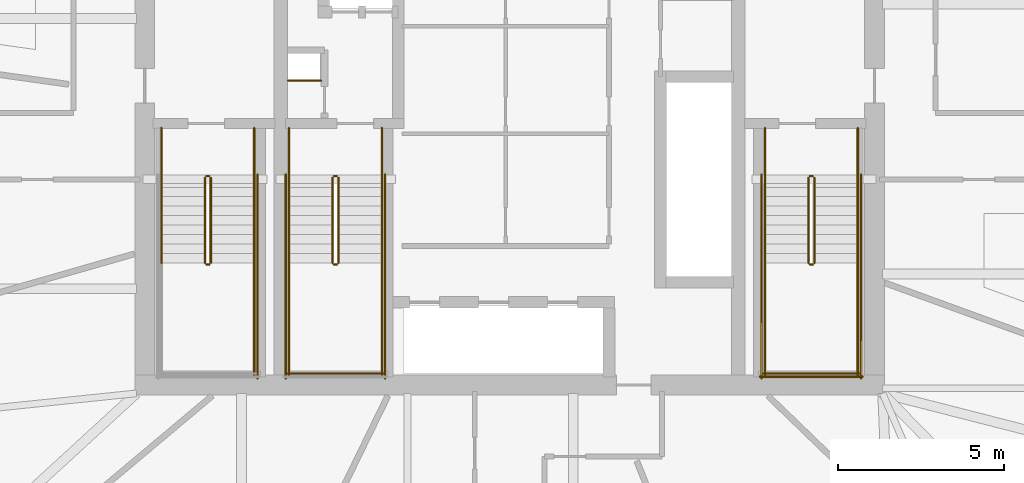
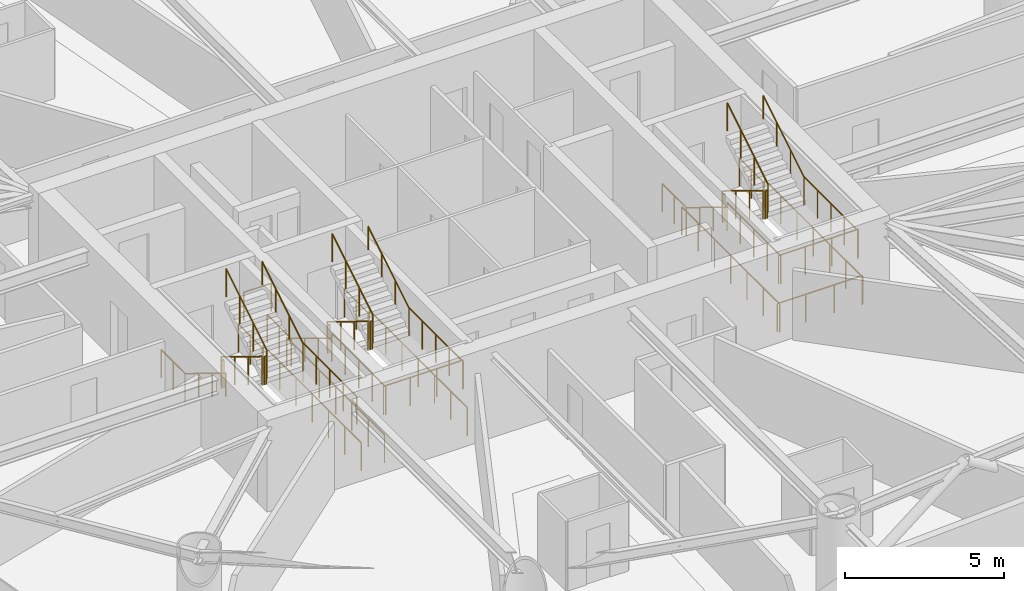
# One storey, part 19 of 20: 38 railings.
"""IFC4 building model written with IfcOpenShell, lengths in metres."""

from ifc_helpers import new_model, si_unit, direction, frame, origin, origin_2d, place, context, subcontext, project, spatial, circle, extrude, material, type_object, element, save


model = new_model("IFC4")

# Units and contexts
model_context = context("Model", 3, precision=1e-05, world=origin(), true_north=direction((0.0, 1.0)))
body_context = subcontext(model_context, "Body", "Model", "MODEL_VIEW")
ifc_project = project(units=[si_unit("LENGTHUNIT", "METRE"), si_unit("AREAUNIT", "SQUARE_METRE"), si_unit("VOLUMEUNIT", "CUBIC_METRE"), si_unit("PLANEANGLEUNIT", "RADIAN"), si_unit("MASSUNIT", "GRAM", prefix="KILO")], contexts=[model_context])

# Site, building, storey
site_placement = place(None, origin())
site = spatial("IfcSite", under=ifc_project, at=site_placement, CompositionType="ELEMENT")
building_placement = place(site_placement, origin())
building = spatial("IfcBuilding", under=site, at=building_placement, Name="Bramvorn Convention Spire", CompositionType="ELEMENT")
storey_placement = place(building_placement, frame((0.0, 0.0, 151.800048828125)))
storey = spatial("IfcBuildingStorey", under=building, at=storey_placement, Name="L38", CompositionType="ELEMENT", Elevation=151.800048828125)

# Railings
ifc_material_1 = material(Name="Painted Steel Balustrade & Guardrail", Category="steel")
railing_type_1 = type_object("IfcRailingType", Name="RL-STAIR-GUARD-1100", PredefinedType="GUARDRAIL", material=ifc_material_1)
railing_1_placement = place(storey_placement, frame((28.81005859375, 25.050048828125, 0.175048828125)))
element("IfcRailing", 1, at=railing_1_placement, inside=storey, type_object=railing_type_1, Name="L38 ST1 stair guard 1", PredefinedType="GUARDRAIL", context=body_context, shape_type="SweptSolid", body=[
    extrude(circle(Radius=0.02392578125, at=origin_2d()), frame((0.0, 0.0, 1.076171875), z_axis=(0.0, -0.852173129349, 0.523259933127), x_axis=(1.0, 0.0, 0.0)), (0.0, 0.0, 1.0), 3.009765625),
    extrude(circle(Radius=0.02099609375, at=origin_2d()), origin(), (0.0, 0.0, 1.0), 1.052001953125),
    extrude(circle(Radius=0.02099609375, at=origin_2d()), frame((0.0, -0.85498046875, 0.52490234375)), (0.0, 0.0, 1.0), 1.052001953125),
    extrude(circle(Radius=0.02099609375, at=origin_2d()), frame((0.0, -1.7099609375, 1.050048828125)), (0.0, 0.0, 1.0), 1.052001953125),
    extrude(circle(Radius=0.02099609375, at=origin_2d()), frame((0.0, -2.56494140625, 1.574951171875)), (0.0, 0.0, 1.0), 1.052001953125),
])
railing_2_placement = place(storey_placement, frame((28.860107421875, 22.43505859375, 1.75)))
element("IfcRailing", 2, at=railing_2_placement, inside=storey, type_object=railing_type_1, Name="L38 ST1 stair guard 2", PredefinedType="GUARDRAIL", context=body_context, shape_type="SweptSolid", body=[
    extrude(circle(Radius=0.02392578125, at=origin_2d()), frame((0.0, 0.0, 1.076171875), z_axis=(1.0, 0.0, 0.0), x_axis=(0.0, 1.0, 0.0)), (0.0, 0.0, 1.0), 0.079833984375),
    extrude(circle(Radius=0.02099609375, at=origin_2d()), origin(), (0.0, 0.0, 1.0), 1.052001953125),
    extrude(circle(Radius=0.02099609375, at=origin_2d()), frame((0.079833984375, 0.0, 0.0)), (0.0, 0.0, 1.0), 1.052001953125),
])
railing_3_placement = place(storey_placement, frame((30.300048828125, 22.485107421875, 1.75)))
element("IfcRailing", 3, at=railing_3_placement, inside=storey, type_object=railing_type_1, Name="L38 ST1 stair guard 4", PredefinedType="GUARDRAIL", context=body_context, shape_type="SweptSolid", body=[
    extrude(circle(Radius=0.02392578125, at=origin_2d()), frame((0.0, 0.0, 1.076171875), z_axis=(0.0, -1.0, 0.0), x_axis=(1.0, 0.0, 0.0)), (0.0, 0.0, 1.0), 3.385009765625),
    extrude(circle(Radius=0.02099609375, at=origin_2d()), origin(), (0.0, 0.0, 1.0), 1.052001953125),
    extrude(circle(Radius=0.02099609375, at=origin_2d()), frame((0.0, -0.84619140625, 0.0)), (0.0, 0.0, 1.0), 1.052001953125),
    extrude(circle(Radius=0.02099609375, at=origin_2d()), frame((0.0, -1.6923828125, 0.0)), (0.0, 0.0, 1.0), 1.052001953125),
    extrude(circle(Radius=0.02099609375, at=origin_2d()), frame((0.0, -2.538818359375, 0.0)), (0.0, 0.0, 1.0), 1.052001953125),
    extrude(circle(Radius=0.02099609375, at=origin_2d()), frame((0.0, -3.385009765625, 0.0)), (0.0, 0.0, 1.0), 1.052001953125),
])
railing_4_placement = place(storey_placement, frame((28.989990234375, 22.485107421875, 1.925048828125)))
element("IfcRailing", 4, at=railing_4_placement, inside=storey, type_object=railing_type_1, Name="L38 ST1 stair guard 6", PredefinedType="GUARDRAIL", context=body_context, shape_type="SweptSolid", body=[
    extrude(circle(Radius=0.02392578125, at=origin_2d()), frame((0.0, 0.0, 1.076171875), z_axis=(0.0, 0.852173129349, 0.523259933127), x_axis=(-1.0, 0.0, 0.0)), (0.0, 0.0, 1.0), 3.009765625),
    extrude(circle(Radius=0.02099609375, at=origin_2d()), origin(), (0.0, 0.0, 1.0), 1.052001953125),
    extrude(circle(Radius=0.02099609375, at=origin_2d()), frame((0.0, 0.85498046875, 0.52490234375)), (0.0, 0.0, 1.0), 1.052001953125),
    extrude(circle(Radius=0.02099609375, at=origin_2d()), frame((0.0, 1.7099609375, 1.050048828125)), (0.0, 0.0, 1.0), 1.052001953125),
    extrude(circle(Radius=0.02099609375, at=origin_2d()), frame((0.0, 2.56494140625, 1.574951171875)), (0.0, 0.0, 1.0), 1.052001953125),
])
railing_5_placement = place(storey_placement, frame((28.860107421875, 25.10009765625, 0.0)))
element("IfcRailing", 5, at=railing_5_placement, inside=storey, type_object=railing_type_1, Name="L38 ST1 stair guard 7", PredefinedType="GUARDRAIL", context=body_context, shape_type="SweptSolid", body=[
    extrude(circle(Radius=0.02392578125, at=origin_2d()), frame((0.0, 0.0, 1.076171875), z_axis=(1.0, 0.0, 0.0), x_axis=(0.0, 1.0, 0.0)), (0.0, 0.0, 1.0), 0.079833984375),
    extrude(circle(Radius=0.02099609375, at=origin_2d()), origin(), (0.0, 0.0, 1.0), 1.052001953125),
    extrude(circle(Radius=0.02099609375, at=origin_2d()), frame((0.079833984375, 0.0, 0.0)), (0.0, 0.0, 1.0), 1.052001953125),
])
for number, where, name in (
    (6, (27.5, 26.550048828125, 0.0), "L38 ST1 stair guard 8"),
    (7, (30.300048828125, 26.550048828125, 0.0), "L38 ST1 stair guard 9"),
):
    element("IfcRailing", number, at=place(storey_placement, frame(where)), inside=storey, type_object=railing_type_1, Name=name, PredefinedType="GUARDRAIL", context=body_context, shape_type="SweptSolid", body=[
        extrude(circle(Radius=0.02392578125, at=origin_2d()), frame((0.0, 0.0, 1.076171875), z_axis=(0.0, -1.0, 0.0), x_axis=(1.0, 0.0, 0.0)), (0.0, 0.0, 1.0), 1.5),
        extrude(circle(Radius=0.02099609375, at=origin_2d()), origin(), (0.0, 0.0, 1.0), 1.052001953125),
        extrude(circle(Radius=0.02099609375, at=origin_2d()), frame((0.0, -0.75, 0.0)), (0.0, 0.0, 1.0), 1.052001953125),
        extrude(circle(Radius=0.02099609375, at=origin_2d()), frame((0.0, -1.5, 0.0)), (0.0, 0.0, 1.0), 1.052001953125),
    ])
railing_6_placement = place(storey_placement, frame((30.39990234375, 25.14990234375, 0.0)))
element("IfcRailing", 8, at=railing_6_placement, inside=storey, type_object=railing_type_1, Name="L38 ST1 stair guard 11", PredefinedType="GUARDRAIL", context=body_context, shape_type="SweptSolid", body=[
    extrude(circle(Radius=0.02392578125, at=origin_2d()), frame((0.0, 0.0, 1.076171875), z_axis=(0.0, -1.0, 0.0), x_axis=(1.0, 0.0, 0.0)), (0.0, 0.0, 1.0), 6.14990234375),
    extrude(circle(Radius=0.02099609375, at=origin_2d()), origin(), (0.0, 0.0, 1.0), 1.052001953125),
    extrude(circle(Radius=0.02099609375, at=origin_2d()), frame((0.0, -1.02490234375, 0.0)), (0.0, 0.0, 1.0), 1.052001953125),
    extrude(circle(Radius=0.02099609375, at=origin_2d()), frame((0.0, -2.050048828125, 0.0)), (0.0, 0.0, 1.0), 1.052001953125),
    extrude(circle(Radius=0.02099609375, at=origin_2d()), frame((0.0, -3.074951171875, 0.0)), (0.0, 0.0, 1.0), 1.052001953125),
    extrude(circle(Radius=0.02099609375, at=origin_2d()), frame((0.0, -4.099853515625, 0.0)), (0.0, 0.0, 1.0), 1.052001953125),
    extrude(circle(Radius=0.02099609375, at=origin_2d()), frame((0.0, -5.125, 0.0)), (0.0, 0.0, 1.0), 1.052001953125),
    extrude(circle(Radius=0.02099609375, at=origin_2d()), frame((0.0, -6.14990234375, 0.0)), (0.0, 0.0, 1.0), 1.052001953125),
])
railing_7_placement = place(storey_placement, frame((47.010009765625, 25.050048828125, 0.175048828125)))
element("IfcRailing", 9, at=railing_7_placement, inside=storey, type_object=railing_type_1, Name="L38 ST2 stair guard 1", PredefinedType="GUARDRAIL", context=body_context, shape_type="SweptSolid", body=[
    extrude(circle(Radius=0.02392578125, at=origin_2d()), frame((0.0, 0.0, 1.076171875), z_axis=(0.0, -0.852173129349, 0.523259933127), x_axis=(1.0, 0.0, 0.0)), (0.0, 0.0, 1.0), 3.009765625),
    extrude(circle(Radius=0.02099609375, at=origin_2d()), origin(), (0.0, 0.0, 1.0), 1.052001953125),
    extrude(circle(Radius=0.02099609375, at=origin_2d()), frame((0.0, -0.85498046875, 0.52490234375)), (0.0, 0.0, 1.0), 1.052001953125),
    extrude(circle(Radius=0.02099609375, at=origin_2d()), frame((0.0, -1.7099609375, 1.050048828125)), (0.0, 0.0, 1.0), 1.052001953125),
    extrude(circle(Radius=0.02099609375, at=origin_2d()), frame((0.0, -2.56494140625, 1.574951171875)), (0.0, 0.0, 1.0), 1.052001953125),
])
railing_8_placement = place(storey_placement, frame((47.06005859375, 22.43505859375, 1.75)))
element("IfcRailing", 10, at=railing_8_placement, inside=storey, type_object=railing_type_1, Name="L38 ST2 stair guard 2", PredefinedType="GUARDRAIL", context=body_context, shape_type="SweptSolid", body=[
    extrude(circle(Radius=0.02392578125, at=origin_2d()), frame((0.0, 0.0, 1.076171875), z_axis=(1.0, 0.0, 0.0), x_axis=(0.0, 1.0, 0.0)), (0.0, 0.0, 1.0), 0.079833984375),
    extrude(circle(Radius=0.02099609375, at=origin_2d()), origin(), (0.0, 0.0, 1.0), 1.052001953125),
    extrude(circle(Radius=0.02099609375, at=origin_2d()), frame((0.079833984375, 0.0, 0.0)), (0.0, 0.0, 1.0), 1.052001953125),
])
for number, where, name in (
    (11, (45.699951171875, 22.485107421875, 1.75), "L38 ST2 stair guard 3"),
    (12, (48.5, 22.485107421875, 1.75), "L38 ST2 stair guard 4"),
):
    element("IfcRailing", number, at=place(storey_placement, frame(where)), inside=storey, type_object=railing_type_1, Name=name, PredefinedType="GUARDRAIL", context=body_context, shape_type="SweptSolid", body=[
        extrude(circle(Radius=0.02392578125, at=origin_2d()), frame((0.0, 0.0, 1.076171875), z_axis=(0.0, -1.0, 0.0), x_axis=(1.0, 0.0, 0.0)), (0.0, 0.0, 1.0), 3.385009765625),
        extrude(circle(Radius=0.02099609375, at=origin_2d()), origin(), (0.0, 0.0, 1.0), 1.052001953125),
        extrude(circle(Radius=0.02099609375, at=origin_2d()), frame((0.0, -0.84619140625, 0.0)), (0.0, 0.0, 1.0), 1.052001953125),
        extrude(circle(Radius=0.02099609375, at=origin_2d()), frame((0.0, -1.6923828125, 0.0)), (0.0, 0.0, 1.0), 1.052001953125),
        extrude(circle(Radius=0.02099609375, at=origin_2d()), frame((0.0, -2.538818359375, 0.0)), (0.0, 0.0, 1.0), 1.052001953125),
        extrude(circle(Radius=0.02099609375, at=origin_2d()), frame((0.0, -3.385009765625, 0.0)), (0.0, 0.0, 1.0), 1.052001953125),
    ])
railing_9_placement = place(storey_placement, frame((45.64990234375, 19.14990234375, 1.75)))
element("IfcRailing", 13, at=railing_9_placement, inside=storey, type_object=railing_type_1, Name="L38 ST2 stair guard 5", PredefinedType="GUARDRAIL", context=body_context, shape_type="SweptSolid", body=[
    extrude(circle(Radius=0.02392578125, at=origin_2d()), frame((0.0, 0.0, 1.076171875), z_axis=(1.0, 0.0, 0.0), x_axis=(0.0, 1.0, 0.0)), (0.0, 0.0, 1.0), 2.900146484375),
    extrude(circle(Radius=0.02099609375, at=origin_2d()), origin(), (0.0, 0.0, 1.0), 1.052001953125),
    extrude(circle(Radius=0.02099609375, at=origin_2d()), frame((0.966796875, 0.0, 0.0)), (0.0, 0.0, 1.0), 1.052001953125),
    extrude(circle(Radius=0.02099609375, at=origin_2d()), frame((1.933349609375, 0.0, 0.0)), (0.0, 0.0, 1.0), 1.052001953125),
    extrude(circle(Radius=0.02099609375, at=origin_2d()), frame((2.900146484375, 0.0, 0.0)), (0.0, 0.0, 1.0), 1.052001953125),
])
railing_10_placement = place(storey_placement, frame((47.18994140625, 22.485107421875, 1.925048828125)))
element("IfcRailing", 14, at=railing_10_placement, inside=storey, type_object=railing_type_1, Name="L38 ST2 stair guard 6", PredefinedType="GUARDRAIL", context=body_context, shape_type="SweptSolid", body=[
    extrude(circle(Radius=0.02392578125, at=origin_2d()), frame((0.0, 0.0, 1.076171875), z_axis=(0.0, 0.852173129349, 0.523259933127), x_axis=(-1.0, 0.0, 0.0)), (0.0, 0.0, 1.0), 3.009765625),
    extrude(circle(Radius=0.02099609375, at=origin_2d()), origin(), (0.0, 0.0, 1.0), 1.052001953125),
    extrude(circle(Radius=0.02099609375, at=origin_2d()), frame((0.0, 0.85498046875, 0.52490234375)), (0.0, 0.0, 1.0), 1.052001953125),
    extrude(circle(Radius=0.02099609375, at=origin_2d()), frame((0.0, 1.7099609375, 1.050048828125)), (0.0, 0.0, 1.0), 1.052001953125),
    extrude(circle(Radius=0.02099609375, at=origin_2d()), frame((0.0, 2.56494140625, 1.574951171875)), (0.0, 0.0, 1.0), 1.052001953125),
])
railing_11_placement = place(storey_placement, frame((47.06005859375, 25.10009765625, 0.0)))
element("IfcRailing", 15, at=railing_11_placement, inside=storey, type_object=railing_type_1, Name="L38 ST2 stair guard 7", PredefinedType="GUARDRAIL", context=body_context, shape_type="SweptSolid", body=[
    extrude(circle(Radius=0.02392578125, at=origin_2d()), frame((0.0, 0.0, 1.076171875), z_axis=(1.0, 0.0, 0.0), x_axis=(0.0, 1.0, 0.0)), (0.0, 0.0, 1.0), 0.079833984375),
    extrude(circle(Radius=0.02099609375, at=origin_2d()), origin(), (0.0, 0.0, 1.0), 1.052001953125),
    extrude(circle(Radius=0.02099609375, at=origin_2d()), frame((0.079833984375, 0.0, 0.0)), (0.0, 0.0, 1.0), 1.052001953125),
])
for number, where, name in (
    (16, (45.699951171875, 26.550048828125, 0.0), "L38 ST2 stair guard 8"),
    (17, (48.5, 26.550048828125, 0.0), "L38 ST2 stair guard 9"),
):
    element("IfcRailing", number, at=place(storey_placement, frame(where)), inside=storey, type_object=railing_type_1, Name=name, PredefinedType="GUARDRAIL", context=body_context, shape_type="SweptSolid", body=[
        extrude(circle(Radius=0.02392578125, at=origin_2d()), frame((0.0, 0.0, 1.076171875), z_axis=(0.0, -1.0, 0.0), x_axis=(1.0, 0.0, 0.0)), (0.0, 0.0, 1.0), 1.5),
        extrude(circle(Radius=0.02099609375, at=origin_2d()), origin(), (0.0, 0.0, 1.0), 1.052001953125),
        extrude(circle(Radius=0.02099609375, at=origin_2d()), frame((0.0, -0.75, 0.0)), (0.0, 0.0, 1.0), 1.052001953125),
        extrude(circle(Radius=0.02099609375, at=origin_2d()), frame((0.0, -1.5, 0.0)), (0.0, 0.0, 1.0), 1.052001953125),
    ])
for number, where, name in (
    (18, (45.60009765625, 25.14990234375, 0.0), "L38 ST2 stair guard 10"),
    (19, (48.60009765625, 25.14990234375, 0.0), "L38 ST2 stair guard 11"),
):
    element("IfcRailing", number, at=place(storey_placement, frame(where)), inside=storey, type_object=railing_type_1, Name=name, PredefinedType="GUARDRAIL", context=body_context, shape_type="SweptSolid", body=[
        extrude(circle(Radius=0.02392578125, at=origin_2d()), frame((0.0, 0.0, 1.076171875), z_axis=(0.0, -1.0, 0.0), x_axis=(1.0, 0.0, 0.0)), (0.0, 0.0, 1.0), 6.14990234375),
        extrude(circle(Radius=0.02099609375, at=origin_2d()), origin(), (0.0, 0.0, 1.0), 1.052001953125),
        extrude(circle(Radius=0.02099609375, at=origin_2d()), frame((0.0, -1.02490234375, 0.0)), (0.0, 0.0, 1.0), 1.052001953125),
        extrude(circle(Radius=0.02099609375, at=origin_2d()), frame((0.0, -2.050048828125, 0.0)), (0.0, 0.0, 1.0), 1.052001953125),
        extrude(circle(Radius=0.02099609375, at=origin_2d()), frame((0.0, -3.074951171875, 0.0)), (0.0, 0.0, 1.0), 1.052001953125),
        extrude(circle(Radius=0.02099609375, at=origin_2d()), frame((0.0, -4.099853515625, 0.0)), (0.0, 0.0, 1.0), 1.052001953125),
        extrude(circle(Radius=0.02099609375, at=origin_2d()), frame((0.0, -5.125, 0.0)), (0.0, 0.0, 1.0), 1.052001953125),
        extrude(circle(Radius=0.02099609375, at=origin_2d()), frame((0.0, -6.14990234375, 0.0)), (0.0, 0.0, 1.0), 1.052001953125),
    ])
railing_12_placement = place(storey_placement, frame((45.550048828125, 19.050048828125, 0.0)))
element("IfcRailing", 20, at=railing_12_placement, inside=storey, type_object=railing_type_1, Name="L38 ST2 stair guard 12", PredefinedType="GUARDRAIL", context=body_context, shape_type="SweptSolid", body=[
    extrude(circle(Radius=0.02392578125, at=origin_2d()), frame((0.0, 0.0, 1.076171875), z_axis=(1.0, 0.0, 0.0), x_axis=(0.0, 1.0, 0.0)), (0.0, 0.0, 1.0), 3.099853515625),
    extrude(circle(Radius=0.02099609375, at=origin_2d()), origin(), (0.0, 0.0, 1.0), 1.052001953125),
    extrude(circle(Radius=0.02099609375, at=origin_2d()), frame((1.033203125, 0.0, 0.0)), (0.0, 0.0, 1.0), 1.052001953125),
    extrude(circle(Radius=0.02099609375, at=origin_2d()), frame((2.066650390625, 0.0, 0.0)), (0.0, 0.0, 1.0), 1.052001953125),
    extrude(circle(Radius=0.02099609375, at=origin_2d()), frame((3.099853515625, 0.0, 0.0)), (0.0, 0.0, 1.0), 1.052001953125),
])
railing_13_placement = place(storey_placement, frame((32.659912109375, 25.050048828125, 0.175048828125)))
element("IfcRailing", 21, at=railing_13_placement, inside=storey, type_object=railing_type_1, Name="L38 ST3 stair guard 1", PredefinedType="GUARDRAIL", context=body_context, shape_type="SweptSolid", body=[
    extrude(circle(Radius=0.02392578125, at=origin_2d()), frame((0.0, 0.0, 1.076171875), z_axis=(0.0, -0.852173129349, 0.523259933127), x_axis=(1.0, 0.0, 0.0)), (0.0, 0.0, 1.0), 3.009765625),
    extrude(circle(Radius=0.02099609375, at=origin_2d()), origin(), (0.0, 0.0, 1.0), 1.052001953125),
    extrude(circle(Radius=0.02099609375, at=origin_2d()), frame((0.0, -0.85498046875, 0.52490234375)), (0.0, 0.0, 1.0), 1.052001953125),
    extrude(circle(Radius=0.02099609375, at=origin_2d()), frame((0.0, -1.7099609375, 1.050048828125)), (0.0, 0.0, 1.0), 1.052001953125),
    extrude(circle(Radius=0.02099609375, at=origin_2d()), frame((0.0, -2.56494140625, 1.574951171875)), (0.0, 0.0, 1.0), 1.052001953125),
])
railing_14_placement = place(storey_placement, frame((32.7099609375, 22.43505859375, 1.75)))
element("IfcRailing", 22, at=railing_14_placement, inside=storey, type_object=railing_type_1, Name="L38 ST3 stair guard 2", PredefinedType="GUARDRAIL", context=body_context, shape_type="SweptSolid", body=[
    extrude(circle(Radius=0.02392578125, at=origin_2d()), frame((0.0, 0.0, 1.076171875), z_axis=(1.0, 0.0, 0.0), x_axis=(0.0, 1.0, 0.0)), (0.0, 0.0, 1.0), 0.080078125),
    extrude(circle(Radius=0.02099609375, at=origin_2d()), origin(), (0.0, 0.0, 1.0), 1.052001953125),
    extrude(circle(Radius=0.02099609375, at=origin_2d()), frame((0.080078125, 0.0, 0.0)), (0.0, 0.0, 1.0), 1.052001953125),
])
for number, where, name in (
    (23, (31.35009765625, 22.485107421875, 1.75), "L38 ST3 stair guard 3"),
    (24, (34.14990234375, 22.485107421875, 1.75), "L38 ST3 stair guard 4"),
):
    element("IfcRailing", number, at=place(storey_placement, frame(where)), inside=storey, type_object=railing_type_1, Name=name, PredefinedType="GUARDRAIL", context=body_context, shape_type="SweptSolid", body=[
        extrude(circle(Radius=0.02392578125, at=origin_2d()), frame((0.0, 0.0, 1.076171875), z_axis=(0.0, -1.0, 0.0), x_axis=(1.0, 0.0, 0.0)), (0.0, 0.0, 1.0), 3.385009765625),
        extrude(circle(Radius=0.02099609375, at=origin_2d()), origin(), (0.0, 0.0, 1.0), 1.052001953125),
        extrude(circle(Radius=0.02099609375, at=origin_2d()), frame((0.0, -0.84619140625, 0.0)), (0.0, 0.0, 1.0), 1.052001953125),
        extrude(circle(Radius=0.02099609375, at=origin_2d()), frame((0.0, -1.6923828125, 0.0)), (0.0, 0.0, 1.0), 1.052001953125),
        extrude(circle(Radius=0.02099609375, at=origin_2d()), frame((0.0, -2.538818359375, 0.0)), (0.0, 0.0, 1.0), 1.052001953125),
        extrude(circle(Radius=0.02099609375, at=origin_2d()), frame((0.0, -3.385009765625, 0.0)), (0.0, 0.0, 1.0), 1.052001953125),
    ])
railing_15_placement = place(storey_placement, frame((31.300048828125, 19.14990234375, 1.75)))
element("IfcRailing", 25, at=railing_15_placement, inside=storey, type_object=railing_type_1, Name="L38 ST3 stair guard 5", PredefinedType="GUARDRAIL", context=body_context, shape_type="SweptSolid", body=[
    extrude(circle(Radius=0.02392578125, at=origin_2d()), frame((0.0, 0.0, 1.076171875), z_axis=(1.0, 0.0, 0.0), x_axis=(0.0, 1.0, 0.0)), (0.0, 0.0, 1.0), 2.89990234375),
    extrude(circle(Radius=0.02099609375, at=origin_2d()), origin(), (0.0, 0.0, 1.0), 1.052001953125),
    extrude(circle(Radius=0.02099609375, at=origin_2d()), frame((0.966552734375, 0.0, 0.0)), (0.0, 0.0, 1.0), 1.052001953125),
    extrude(circle(Radius=0.02099609375, at=origin_2d()), frame((1.933349609375, 0.0, 0.0)), (0.0, 0.0, 1.0), 1.052001953125),
    extrude(circle(Radius=0.02099609375, at=origin_2d()), frame((2.89990234375, 0.0, 0.0)), (0.0, 0.0, 1.0), 1.052001953125),
])
railing_16_placement = place(storey_placement, frame((32.840087890625, 22.485107421875, 1.925048828125)))
element("IfcRailing", 26, at=railing_16_placement, inside=storey, type_object=railing_type_1, Name="L38 ST3 stair guard 6", PredefinedType="GUARDRAIL", context=body_context, shape_type="SweptSolid", body=[
    extrude(circle(Radius=0.02392578125, at=origin_2d()), frame((0.0, 0.0, 1.076171875), z_axis=(0.0, 0.852173129349, 0.523259933127), x_axis=(-1.0, 0.0, 0.0)), (0.0, 0.0, 1.0), 3.009765625),
    extrude(circle(Radius=0.02099609375, at=origin_2d()), origin(), (0.0, 0.0, 1.0), 1.052001953125),
    extrude(circle(Radius=0.02099609375, at=origin_2d()), frame((0.0, 0.85498046875, 0.52490234375)), (0.0, 0.0, 1.0), 1.052001953125),
    extrude(circle(Radius=0.02099609375, at=origin_2d()), frame((0.0, 1.7099609375, 1.050048828125)), (0.0, 0.0, 1.0), 1.052001953125),
    extrude(circle(Radius=0.02099609375, at=origin_2d()), frame((0.0, 2.56494140625, 1.574951171875)), (0.0, 0.0, 1.0), 1.052001953125),
])
railing_17_placement = place(storey_placement, frame((32.7099609375, 25.10009765625, 0.0)))
element("IfcRailing", 27, at=railing_17_placement, inside=storey, type_object=railing_type_1, Name="L38 ST3 stair guard 7", PredefinedType="GUARDRAIL", context=body_context, shape_type="SweptSolid", body=[
    extrude(circle(Radius=0.02392578125, at=origin_2d()), frame((0.0, 0.0, 1.076171875), z_axis=(1.0, 0.0, 0.0), x_axis=(0.0, 1.0, 0.0)), (0.0, 0.0, 1.0), 0.080078125),
    extrude(circle(Radius=0.02099609375, at=origin_2d()), origin(), (0.0, 0.0, 1.0), 1.052001953125),
    extrude(circle(Radius=0.02099609375, at=origin_2d()), frame((0.080078125, 0.0, 0.0)), (0.0, 0.0, 1.0), 1.052001953125),
])
for number, where, name in (
    (28, (31.35009765625, 26.550048828125, 0.0), "L38 ST3 stair guard 8"),
    (29, (34.14990234375, 26.550048828125, 0.0), "L38 ST3 stair guard 9"),
):
    element("IfcRailing", number, at=place(storey_placement, frame(where)), inside=storey, type_object=railing_type_1, Name=name, PredefinedType="GUARDRAIL", context=body_context, shape_type="SweptSolid", body=[
        extrude(circle(Radius=0.02392578125, at=origin_2d()), frame((0.0, 0.0, 1.076171875), z_axis=(0.0, -1.0, 0.0), x_axis=(1.0, 0.0, 0.0)), (0.0, 0.0, 1.0), 1.5),
        extrude(circle(Radius=0.02099609375, at=origin_2d()), origin(), (0.0, 0.0, 1.0), 1.052001953125),
        extrude(circle(Radius=0.02099609375, at=origin_2d()), frame((0.0, -0.75, 0.0)), (0.0, 0.0, 1.0), 1.052001953125),
        extrude(circle(Radius=0.02099609375, at=origin_2d()), frame((0.0, -1.5, 0.0)), (0.0, 0.0, 1.0), 1.052001953125),
    ])
for number, where, name in (
    (30, (31.25, 25.14990234375, 0.0), "L38 ST3 stair guard 10"),
    (31, (34.25, 25.14990234375, 0.0), "L38 ST3 stair guard 11"),
):
    element("IfcRailing", number, at=place(storey_placement, frame(where)), inside=storey, type_object=railing_type_1, Name=name, PredefinedType="GUARDRAIL", context=body_context, shape_type="SweptSolid", body=[
        extrude(circle(Radius=0.02392578125, at=origin_2d()), frame((0.0, 0.0, 1.076171875), z_axis=(0.0, -1.0, 0.0), x_axis=(1.0, 0.0, 0.0)), (0.0, 0.0, 1.0), 6.14990234375),
        extrude(circle(Radius=0.02099609375, at=origin_2d()), origin(), (0.0, 0.0, 1.0), 1.052001953125),
        extrude(circle(Radius=0.02099609375, at=origin_2d()), frame((0.0, -1.02490234375, 0.0)), (0.0, 0.0, 1.0), 1.052001953125),
        extrude(circle(Radius=0.02099609375, at=origin_2d()), frame((0.0, -2.050048828125, 0.0)), (0.0, 0.0, 1.0), 1.052001953125),
        extrude(circle(Radius=0.02099609375, at=origin_2d()), frame((0.0, -3.074951171875, 0.0)), (0.0, 0.0, 1.0), 1.052001953125),
        extrude(circle(Radius=0.02099609375, at=origin_2d()), frame((0.0, -4.099853515625, 0.0)), (0.0, 0.0, 1.0), 1.052001953125),
        extrude(circle(Radius=0.02099609375, at=origin_2d()), frame((0.0, -5.125, 0.0)), (0.0, 0.0, 1.0), 1.052001953125),
        extrude(circle(Radius=0.02099609375, at=origin_2d()), frame((0.0, -6.14990234375, 0.0)), (0.0, 0.0, 1.0), 1.052001953125),
    ])
railing_18_placement = place(storey_placement, frame((31.320068359375, 27.97998046875, 0.0)))
element("IfcRailing", 32, at=railing_18_placement, inside=storey, type_object=railing_type_1, Name="L38 Telecom riser shaft opening safety guardrail", PredefinedType="GUARDRAIL", context=body_context, shape_type="SweptSolid", body=[
    extrude(circle(Radius=0.02392578125, at=origin_2d()), frame((0.0, 0.0, 1.076171875), z_axis=(1.0, 0.0, 0.0), x_axis=(0.0, 1.0, 0.0)), (0.0, 0.0, 1.0), 1.0),
    extrude(circle(Radius=0.02099609375, at=origin_2d()), origin(), (0.0, 0.0, 1.0), 1.052001953125),
    extrude(circle(Radius=0.02099609375, at=origin_2d()), frame((1.0, 0.0, 0.0)), (0.0, 0.0, 1.0), 1.052001953125),
])
ifc_material_2 = material(Name="Brushed Bronze Tubular Handrail", Category="aluminium")
railing_type_2 = type_object("IfcRailingType", Name="RL-STAIR-HR-920", PredefinedType="HANDRAIL", material=ifc_material_2)
railing_19_placement = place(storey_placement, frame((27.5, 25.050048828125, 0.175048828125)))
element("IfcRailing", 33, at=railing_19_placement, inside=storey, type_object=railing_type_2, Name="L38 ST1 stair handrail 1", PredefinedType="HANDRAIL", context=body_context, shape_type="SweptSolid", body=[
    extrude(circle(Radius=0.02392578125, at=origin_2d()), frame((0.0, 0.0, 0.89599609375), z_axis=(0.0, -0.852173129349, 0.523259933127), x_axis=(1.0, 0.0, 0.0)), (0.0, 0.0, 1.0), 3.009765625),
    extrude(circle(Radius=0.02099609375, at=origin_2d()), origin(), (0.0, 0.0, 1.0), 0.871826171875),
    extrude(circle(Radius=0.02099609375, at=origin_2d()), frame((0.0, -0.85498046875, 0.52490234375)), (0.0, 0.0, 1.0), 0.871826171875),
    extrude(circle(Radius=0.02099609375, at=origin_2d()), frame((0.0, -1.7099609375, 1.050048828125)), (0.0, 0.0, 1.0), 0.871826171875),
    extrude(circle(Radius=0.02099609375, at=origin_2d()), frame((0.0, -2.56494140625, 1.574951171875)), (0.0, 0.0, 1.0), 0.871826171875),
])
railing_20_placement = place(storey_placement, frame((30.300048828125, 22.485107421875, 1.925048828125)))
element("IfcRailing", 34, at=railing_20_placement, inside=storey, type_object=railing_type_2, Name="L38 ST1 stair handrail 2", PredefinedType="HANDRAIL", context=body_context, shape_type="SweptSolid", body=[
    extrude(circle(Radius=0.02392578125, at=origin_2d()), frame((0.0, 0.0, 0.89599609375), z_axis=(0.0, 0.852173129349, 0.523259933127), x_axis=(-1.0, 0.0, 0.0)), (0.0, 0.0, 1.0), 3.009765625),
    extrude(circle(Radius=0.02099609375, at=origin_2d()), origin(), (0.0, 0.0, 1.0), 0.871826171875),
    extrude(circle(Radius=0.02099609375, at=origin_2d()), frame((0.0, 0.85498046875, 0.52490234375)), (0.0, 0.0, 1.0), 0.871826171875),
    extrude(circle(Radius=0.02099609375, at=origin_2d()), frame((0.0, 1.7099609375, 1.050048828125)), (0.0, 0.0, 1.0), 0.871826171875),
    extrude(circle(Radius=0.02099609375, at=origin_2d()), frame((0.0, 2.56494140625, 1.574951171875)), (0.0, 0.0, 1.0), 0.871826171875),
])
railing_21_placement = place(storey_placement, frame((45.699951171875, 25.050048828125, 0.175048828125)))
element("IfcRailing", 35, at=railing_21_placement, inside=storey, type_object=railing_type_2, Name="L38 ST2 stair handrail 1", PredefinedType="HANDRAIL", context=body_context, shape_type="SweptSolid", body=[
    extrude(circle(Radius=0.02392578125, at=origin_2d()), frame((0.0, 0.0, 0.89599609375), z_axis=(0.0, -0.852173129349, 0.523259933127), x_axis=(1.0, 0.0, 0.0)), (0.0, 0.0, 1.0), 3.009765625),
    extrude(circle(Radius=0.02099609375, at=origin_2d()), origin(), (0.0, 0.0, 1.0), 0.871826171875),
    extrude(circle(Radius=0.02099609375, at=origin_2d()), frame((0.0, -0.85498046875, 0.52490234375)), (0.0, 0.0, 1.0), 0.871826171875),
    extrude(circle(Radius=0.02099609375, at=origin_2d()), frame((0.0, -1.7099609375, 1.050048828125)), (0.0, 0.0, 1.0), 0.871826171875),
    extrude(circle(Radius=0.02099609375, at=origin_2d()), frame((0.0, -2.56494140625, 1.574951171875)), (0.0, 0.0, 1.0), 0.871826171875),
])
railing_22_placement = place(storey_placement, frame((48.5, 22.485107421875, 1.925048828125)))
element("IfcRailing", 36, at=railing_22_placement, inside=storey, type_object=railing_type_2, Name="L38 ST2 stair handrail 2", PredefinedType="HANDRAIL", context=body_context, shape_type="SweptSolid", body=[
    extrude(circle(Radius=0.02392578125, at=origin_2d()), frame((0.0, 0.0, 0.89599609375), z_axis=(0.0, 0.852173129349, 0.523259933127), x_axis=(-1.0, 0.0, 0.0)), (0.0, 0.0, 1.0), 3.009765625),
    extrude(circle(Radius=0.02099609375, at=origin_2d()), origin(), (0.0, 0.0, 1.0), 0.871826171875),
    extrude(circle(Radius=0.02099609375, at=origin_2d()), frame((0.0, 0.85498046875, 0.52490234375)), (0.0, 0.0, 1.0), 0.871826171875),
    extrude(circle(Radius=0.02099609375, at=origin_2d()), frame((0.0, 1.7099609375, 1.050048828125)), (0.0, 0.0, 1.0), 0.871826171875),
    extrude(circle(Radius=0.02099609375, at=origin_2d()), frame((0.0, 2.56494140625, 1.574951171875)), (0.0, 0.0, 1.0), 0.871826171875),
])
railing_23_placement = place(storey_placement, frame((31.35009765625, 25.050048828125, 0.175048828125)))
element("IfcRailing", 37, at=railing_23_placement, inside=storey, type_object=railing_type_2, Name="L38 ST3 stair handrail 1", PredefinedType="HANDRAIL", context=body_context, shape_type="SweptSolid", body=[
    extrude(circle(Radius=0.02392578125, at=origin_2d()), frame((0.0, 0.0, 0.89599609375), z_axis=(0.0, -0.852173129349, 0.523259933127), x_axis=(1.0, 0.0, 0.0)), (0.0, 0.0, 1.0), 3.009765625),
    extrude(circle(Radius=0.02099609375, at=origin_2d()), origin(), (0.0, 0.0, 1.0), 0.871826171875),
    extrude(circle(Radius=0.02099609375, at=origin_2d()), frame((0.0, -0.85498046875, 0.52490234375)), (0.0, 0.0, 1.0), 0.871826171875),
    extrude(circle(Radius=0.02099609375, at=origin_2d()), frame((0.0, -1.7099609375, 1.050048828125)), (0.0, 0.0, 1.0), 0.871826171875),
    extrude(circle(Radius=0.02099609375, at=origin_2d()), frame((0.0, -2.56494140625, 1.574951171875)), (0.0, 0.0, 1.0), 0.871826171875),
])
railing_24_placement = place(storey_placement, frame((34.14990234375, 22.485107421875, 1.925048828125)))
element("IfcRailing", 38, at=railing_24_placement, inside=storey, type_object=railing_type_2, Name="L38 ST3 stair handrail 2", PredefinedType="HANDRAIL", context=body_context, shape_type="SweptSolid", body=[
    extrude(circle(Radius=0.02392578125, at=origin_2d()), frame((0.0, 0.0, 0.89599609375), z_axis=(0.0, 0.852173129349, 0.523259933127), x_axis=(-1.0, 0.0, 0.0)), (0.0, 0.0, 1.0), 3.009765625),
    extrude(circle(Radius=0.02099609375, at=origin_2d()), origin(), (0.0, 0.0, 1.0), 0.871826171875),
    extrude(circle(Radius=0.02099609375, at=origin_2d()), frame((0.0, 0.85498046875, 0.52490234375)), (0.0, 0.0, 1.0), 0.871826171875),
    extrude(circle(Radius=0.02099609375, at=origin_2d()), frame((0.0, 1.7099609375, 1.050048828125)), (0.0, 0.0, 1.0), 0.871826171875),
    extrude(circle(Radius=0.02099609375, at=origin_2d()), frame((0.0, 2.56494140625, 1.574951171875)), (0.0, 0.0, 1.0), 0.871826171875),
])

save(model, "model.ifc")
